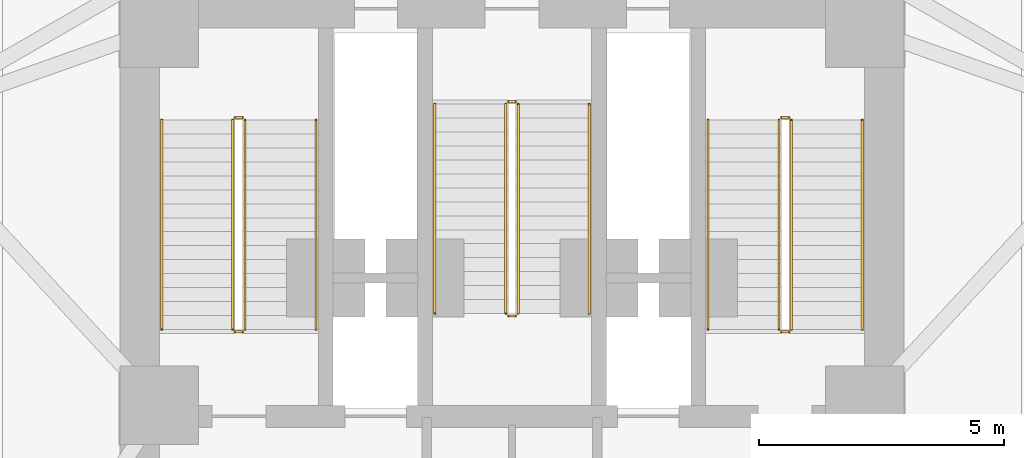
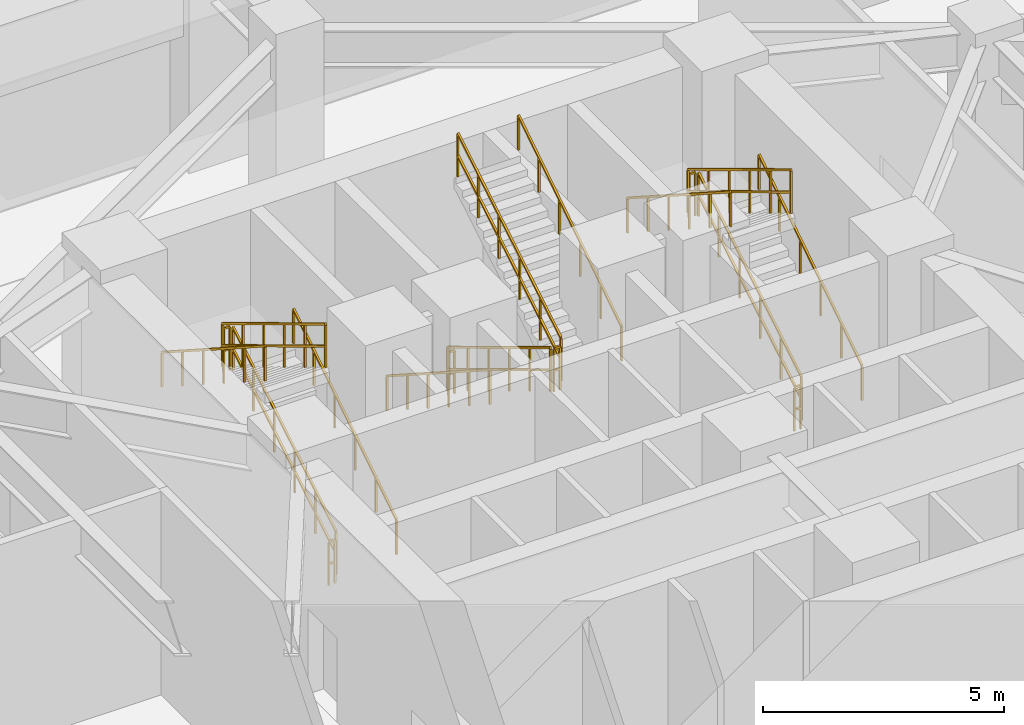
# One storey, part 14 of 15: 18 railings.
"""IFC4 building model written with IfcOpenShell, lengths in metres."""

from ifc_helpers import new_model, si_unit, direction, frame, origin, origin_2d, place, context, subcontext, project, spatial, rectangle, extrude, material, type_object, element, save


model = new_model("IFC4")

# Units and contexts
model_context = context("Model", 3, precision=1e-05, world=origin(), true_north=direction((0.0, 1.0)))
body_context = subcontext(model_context, "Body", "Model", "MODEL_VIEW")
ifc_project = project(units=[si_unit("LENGTHUNIT", "METRE"), si_unit("AREAUNIT", "SQUARE_METRE"), si_unit("VOLUMEUNIT", "CUBIC_METRE"), si_unit("PLANEANGLEUNIT", "RADIAN"), si_unit("MASSUNIT", "GRAM", prefix="KILO")], contexts=[model_context])

# Site, building, storey
site_placement = place(None, origin())
site = spatial("IfcSite", under=ifc_project, at=site_placement, CompositionType="ELEMENT")
building_placement = place(site_placement, origin())
building = spatial("IfcBuilding", under=site, at=building_placement, Name="Apsidion Concourse Tower", CompositionType="ELEMENT")
storey_placement = place(building_placement, frame((0.0, 0.0, 23.5)))
storey = spatial("IfcBuildingStorey", under=building, at=storey_placement, Name="L04", CompositionType="ELEMENT", Elevation=23.5)

# Railings
ifc_material = material(Name="Brushed stainless steel 316", Category="steel")
railing_type_1 = type_object("IfcRailingType", Name="RL-GUARD-1100", PredefinedType="GUARDRAIL", material=ifc_material)
railing_1_placement = place(storey_placement, frame((-5.449951171875, 3.0, 0.171875)))
element("IfcRailing", 1, at=railing_1_placement, inside=storey, type_object=railing_type_1, Name="L04 ST1 stair guard 1", PredefinedType="GUARDRAIL", context=body_context, shape_type="SweptSolid", body=[
    extrude(rectangle(XDim=0.048095703125, YDim=0.048095703125, at=origin_2d()), frame((0.0, 0.0, 1.09619140625), z_axis=(0.0, 0.856325638601, 0.51643625035), x_axis=(-1.0, 0.0, 0.0)), (0.0, 0.0, 1.0), 4.9921875),
    extrude(rectangle(XDim=0.048095703125, YDim=0.048095703125, at=origin_2d()), frame((0.0, 0.0, 0.5361328125), z_axis=(0.0, 0.856325638601, 0.51643625035), x_axis=(-1.0, 0.0, 0.0)), (0.0, 0.0, 1.0), 4.9921875),
    extrude(rectangle(XDim=0.0419921875, YDim=0.0419921875, at=origin_2d()), origin(), (0.0, 0.0, 1.0), 1.072021484375),
    extrude(rectangle(XDim=0.0419921875, YDim=0.0419921875, at=origin_2d()), frame((0.0, 0.85498046875, 0.515625)), (0.0, 0.0, 1.0), 1.072021484375),
    extrude(rectangle(XDim=0.0419921875, YDim=0.0419921875, at=origin_2d()), frame((0.0, 1.7099609375, 1.03125)), (0.0, 0.0, 1.0), 1.072021484375),
    extrude(rectangle(XDim=0.0419921875, YDim=0.0419921875, at=origin_2d()), frame((0.0, 2.56494140625, 1.546875)), (0.0, 0.0, 1.0), 1.072021484375),
    extrude(rectangle(XDim=0.0419921875, YDim=0.0419921875, at=origin_2d()), frame((0.0, 3.419921875, 2.0625)), (0.0, 0.0, 1.0), 1.072021484375),
    extrude(rectangle(XDim=0.0419921875, YDim=0.0419921875, at=origin_2d()), frame((0.0, 4.27490234375, 2.578125)), (0.0, 0.0, 1.0), 1.072021484375),
])
railing_2_placement = place(storey_placement, frame((-5.5, 7.324951171875, 2.75)))
element("IfcRailing", 2, at=railing_2_placement, inside=storey, type_object=railing_type_1, Name="L04 ST1 stair guard 2", PredefinedType="GUARDRAIL", context=body_context, shape_type="SweptSolid", body=[
    extrude(rectangle(XDim=0.048095703125, YDim=0.048095703125, at=origin_2d()), frame((0.0, 0.0, 1.09619140625), z_axis=(-1.0, 0.0, 0.0), x_axis=(0.0, -1.0, 0.0)), (0.0, 0.0, 1.0), 0.14990234375),
    extrude(rectangle(XDim=0.048095703125, YDim=0.048095703125, at=origin_2d()), frame((0.0, 0.0, 0.5361328125), z_axis=(-1.0, 0.0, 0.0), x_axis=(0.0, -1.0, 0.0)), (0.0, 0.0, 1.0), 0.14990234375),
    extrude(rectangle(XDim=0.0419921875, YDim=0.0419921875, at=origin_2d()), origin(), (0.0, 0.0, 1.0), 1.072021484375),
    extrude(rectangle(XDim=0.0419921875, YDim=0.0419921875, at=origin_2d()), frame((-0.14990234375, 0.0, 0.0)), (0.0, 0.0, 1.0), 1.072021484375),
])
railing_3_placement = place(storey_placement, frame((-5.699951171875, 7.27490234375, 2.921875)))
element("IfcRailing", 3, at=railing_3_placement, inside=storey, type_object=railing_type_1, Name="L04 ST1 stair guard 3", PredefinedType="GUARDRAIL", context=body_context, shape_type="SweptSolid", body=[
    extrude(rectangle(XDim=0.048095703125, YDim=0.048095703125, at=origin_2d()), frame((0.0, 0.0, 1.09619140625), z_axis=(0.0, -0.856325638601, 0.51643625035), x_axis=(1.0, 0.0, 0.0)), (0.0, 0.0, 1.0), 4.9921875),
    extrude(rectangle(XDim=0.048095703125, YDim=0.048095703125, at=origin_2d()), frame((0.0, 0.0, 0.5361328125), z_axis=(0.0, -0.856325638601, 0.51643625035), x_axis=(1.0, 0.0, 0.0)), (0.0, 0.0, 1.0), 4.9921875),
    extrude(rectangle(XDim=0.0419921875, YDim=0.0419921875, at=origin_2d()), origin(), (0.0, 0.0, 1.0), 1.072021484375),
    extrude(rectangle(XDim=0.0419921875, YDim=0.0419921875, at=origin_2d()), frame((0.0, -0.85498046875, 0.515625)), (0.0, 0.0, 1.0), 1.072021484375),
    extrude(rectangle(XDim=0.0419921875, YDim=0.0419921875, at=origin_2d()), frame((0.0, -1.7099609375, 1.03125)), (0.0, 0.0, 1.0), 1.072021484375),
    extrude(rectangle(XDim=0.0419921875, YDim=0.0419921875, at=origin_2d()), frame((0.0, -2.56494140625, 1.546875)), (0.0, 0.0, 1.0), 1.072021484375),
    extrude(rectangle(XDim=0.0419921875, YDim=0.0419921875, at=origin_2d()), frame((0.0, -3.419921875, 2.0625)), (0.0, 0.0, 1.0), 1.072021484375),
    extrude(rectangle(XDim=0.0419921875, YDim=0.0419921875, at=origin_2d()), frame((0.0, -4.27490234375, 2.578125)), (0.0, 0.0, 1.0), 1.072021484375),
])
railing_4_placement = place(storey_placement, frame((-5.5, 2.949951171875, 0.0)))
element("IfcRailing", 4, at=railing_4_placement, inside=storey, type_object=railing_type_1, Name="L04 ST1 stair guard 4", PredefinedType="GUARDRAIL", context=body_context, shape_type="SweptSolid", body=[
    extrude(rectangle(XDim=0.048095703125, YDim=0.048095703125, at=origin_2d()), frame((0.0, 0.0, 1.09619140625), z_axis=(-1.0, 0.0, 0.0), x_axis=(0.0, -1.0, 0.0)), (0.0, 0.0, 1.0), 0.14990234375),
    extrude(rectangle(XDim=0.048095703125, YDim=0.048095703125, at=origin_2d()), frame((0.0, 0.0, 0.5361328125), z_axis=(-1.0, 0.0, 0.0), x_axis=(0.0, -1.0, 0.0)), (0.0, 0.0, 1.0), 0.14990234375),
    extrude(rectangle(XDim=0.0419921875, YDim=0.0419921875, at=origin_2d()), origin(), (0.0, 0.0, 1.0), 1.072021484375),
    extrude(rectangle(XDim=0.0419921875, YDim=0.0419921875, at=origin_2d()), frame((-0.14990234375, 0.0, 0.0)), (0.0, 0.0, 1.0), 1.072021484375),
])
railing_5_placement = place(storey_placement, frame((5.699951171875, 3.0, 0.171875)))
element("IfcRailing", 5, at=railing_5_placement, inside=storey, type_object=railing_type_1, Name="L04 ST2 stair guard 1", PredefinedType="GUARDRAIL", context=body_context, shape_type="SweptSolid", body=[
    extrude(rectangle(XDim=0.048095703125, YDim=0.048095703125, at=origin_2d()), frame((0.0, 0.0, 1.09619140625), z_axis=(0.0, 0.856325638601, 0.51643625035), x_axis=(-1.0, 0.0, 0.0)), (0.0, 0.0, 1.0), 4.9921875),
    extrude(rectangle(XDim=0.048095703125, YDim=0.048095703125, at=origin_2d()), frame((0.0, 0.0, 0.5361328125), z_axis=(0.0, 0.856325638601, 0.51643625035), x_axis=(-1.0, 0.0, 0.0)), (0.0, 0.0, 1.0), 4.9921875),
    extrude(rectangle(XDim=0.0419921875, YDim=0.0419921875, at=origin_2d()), origin(), (0.0, 0.0, 1.0), 1.072021484375),
    extrude(rectangle(XDim=0.0419921875, YDim=0.0419921875, at=origin_2d()), frame((0.0, 0.85498046875, 0.515625)), (0.0, 0.0, 1.0), 1.072021484375),
    extrude(rectangle(XDim=0.0419921875, YDim=0.0419921875, at=origin_2d()), frame((0.0, 1.7099609375, 1.03125)), (0.0, 0.0, 1.0), 1.072021484375),
    extrude(rectangle(XDim=0.0419921875, YDim=0.0419921875, at=origin_2d()), frame((0.0, 2.56494140625, 1.546875)), (0.0, 0.0, 1.0), 1.072021484375),
    extrude(rectangle(XDim=0.0419921875, YDim=0.0419921875, at=origin_2d()), frame((0.0, 3.419921875, 2.0625)), (0.0, 0.0, 1.0), 1.072021484375),
    extrude(rectangle(XDim=0.0419921875, YDim=0.0419921875, at=origin_2d()), frame((0.0, 4.27490234375, 2.578125)), (0.0, 0.0, 1.0), 1.072021484375),
])
railing_6_placement = place(storey_placement, frame((5.64990234375, 7.324951171875, 2.75)))
element("IfcRailing", 6, at=railing_6_placement, inside=storey, type_object=railing_type_1, Name="L04 ST2 stair guard 2", PredefinedType="GUARDRAIL", context=body_context, shape_type="SweptSolid", body=[
    extrude(rectangle(XDim=0.048095703125, YDim=0.048095703125, at=origin_2d()), frame((0.0, 0.0, 1.09619140625), z_axis=(-1.0, 0.0, 0.0), x_axis=(0.0, -1.0, 0.0)), (0.0, 0.0, 1.0), 0.14990234375),
    extrude(rectangle(XDim=0.048095703125, YDim=0.048095703125, at=origin_2d()), frame((0.0, 0.0, 0.5361328125), z_axis=(-1.0, 0.0, 0.0), x_axis=(0.0, -1.0, 0.0)), (0.0, 0.0, 1.0), 0.14990234375),
    extrude(rectangle(XDim=0.0419921875, YDim=0.0419921875, at=origin_2d()), origin(), (0.0, 0.0, 1.0), 1.072021484375),
    extrude(rectangle(XDim=0.0419921875, YDim=0.0419921875, at=origin_2d()), frame((-0.14990234375, 0.0, 0.0)), (0.0, 0.0, 1.0), 1.072021484375),
])
railing_7_placement = place(storey_placement, frame((5.449951171875, 7.27490234375, 2.921875)))
element("IfcRailing", 7, at=railing_7_placement, inside=storey, type_object=railing_type_1, Name="L04 ST2 stair guard 3", PredefinedType="GUARDRAIL", context=body_context, shape_type="SweptSolid", body=[
    extrude(rectangle(XDim=0.048095703125, YDim=0.048095703125, at=origin_2d()), frame((0.0, 0.0, 1.09619140625), z_axis=(0.0, -0.856325638601, 0.51643625035), x_axis=(1.0, 0.0, 0.0)), (0.0, 0.0, 1.0), 4.9921875),
    extrude(rectangle(XDim=0.048095703125, YDim=0.048095703125, at=origin_2d()), frame((0.0, 0.0, 0.5361328125), z_axis=(0.0, -0.856325638601, 0.51643625035), x_axis=(1.0, 0.0, 0.0)), (0.0, 0.0, 1.0), 4.9921875),
    extrude(rectangle(XDim=0.0419921875, YDim=0.0419921875, at=origin_2d()), origin(), (0.0, 0.0, 1.0), 1.072021484375),
    extrude(rectangle(XDim=0.0419921875, YDim=0.0419921875, at=origin_2d()), frame((0.0, -0.85498046875, 0.515625)), (0.0, 0.0, 1.0), 1.072021484375),
    extrude(rectangle(XDim=0.0419921875, YDim=0.0419921875, at=origin_2d()), frame((0.0, -1.7099609375, 1.03125)), (0.0, 0.0, 1.0), 1.072021484375),
    extrude(rectangle(XDim=0.0419921875, YDim=0.0419921875, at=origin_2d()), frame((0.0, -2.56494140625, 1.546875)), (0.0, 0.0, 1.0), 1.072021484375),
    extrude(rectangle(XDim=0.0419921875, YDim=0.0419921875, at=origin_2d()), frame((0.0, -3.419921875, 2.0625)), (0.0, 0.0, 1.0), 1.072021484375),
    extrude(rectangle(XDim=0.0419921875, YDim=0.0419921875, at=origin_2d()), frame((0.0, -4.27490234375, 2.578125)), (0.0, 0.0, 1.0), 1.072021484375),
])
railing_8_placement = place(storey_placement, frame((5.64990234375, 2.949951171875, 0.0)))
element("IfcRailing", 8, at=railing_8_placement, inside=storey, type_object=railing_type_1, Name="L04 ST2 stair guard 4", PredefinedType="GUARDRAIL", context=body_context, shape_type="SweptSolid", body=[
    extrude(rectangle(XDim=0.048095703125, YDim=0.048095703125, at=origin_2d()), frame((0.0, 0.0, 1.09619140625), z_axis=(-1.0, 0.0, 0.0), x_axis=(0.0, -1.0, 0.0)), (0.0, 0.0, 1.0), 0.14990234375),
    extrude(rectangle(XDim=0.048095703125, YDim=0.048095703125, at=origin_2d()), frame((0.0, 0.0, 0.5361328125), z_axis=(-1.0, 0.0, 0.0), x_axis=(0.0, -1.0, 0.0)), (0.0, 0.0, 1.0), 0.14990234375),
    extrude(rectangle(XDim=0.0419921875, YDim=0.0419921875, at=origin_2d()), origin(), (0.0, 0.0, 1.0), 1.072021484375),
    extrude(rectangle(XDim=0.0419921875, YDim=0.0419921875, at=origin_2d()), frame((-0.14990234375, 0.0, 0.0)), (0.0, 0.0, 1.0), 1.072021484375),
])
railing_9_placement = place(storey_placement, frame((-0.125, 7.60009765625, 0.171875)))
element("IfcRailing", 9, at=railing_9_placement, inside=storey, type_object=railing_type_1, Name="L04 ST3 stair guard 1", PredefinedType="GUARDRAIL", context=body_context, shape_type="SweptSolid", body=[
    extrude(rectangle(XDim=0.048095703125, YDim=0.048095703125, at=origin_2d()), frame((0.0, 0.0, 1.09619140625), z_axis=(0.0, -0.856338681044, 0.516414623484), x_axis=(1.0, 0.0, 0.0)), (0.0, 0.0, 1.0), 4.992431640625),
    extrude(rectangle(XDim=0.048095703125, YDim=0.048095703125, at=origin_2d()), frame((0.0, 0.0, 0.5361328125), z_axis=(0.0, -0.856338681044, 0.516414623484), x_axis=(1.0, 0.0, 0.0)), (0.0, 0.0, 1.0), 4.992431640625),
    extrude(rectangle(XDim=0.0419921875, YDim=0.0419921875, at=origin_2d()), origin(), (0.0, 0.0, 1.0), 1.072021484375),
    extrude(rectangle(XDim=0.0419921875, YDim=0.0419921875, at=origin_2d()), frame((0.0, -0.85498046875, 0.515625)), (0.0, 0.0, 1.0), 1.072021484375),
    extrude(rectangle(XDim=0.0419921875, YDim=0.0419921875, at=origin_2d()), frame((0.0, -1.7099609375, 1.03125)), (0.0, 0.0, 1.0), 1.072021484375),
    extrude(rectangle(XDim=0.0419921875, YDim=0.0419921875, at=origin_2d()), frame((0.0, -2.565185546875, 1.546875)), (0.0, 0.0, 1.0), 1.072021484375),
    extrude(rectangle(XDim=0.0419921875, YDim=0.0419921875, at=origin_2d()), frame((0.0, -3.420166015625, 2.0625)), (0.0, 0.0, 1.0), 1.072021484375),
    extrude(rectangle(XDim=0.0419921875, YDim=0.0419921875, at=origin_2d()), frame((0.0, -4.275146484375, 2.578125)), (0.0, 0.0, 1.0), 1.072021484375),
])
railing_10_placement = place(storey_placement, frame((-0.074951171875, 3.27490234375, 2.75)))
element("IfcRailing", 10, at=railing_10_placement, inside=storey, type_object=railing_type_1, Name="L04 ST3 stair guard 2", PredefinedType="GUARDRAIL", context=body_context, shape_type="SweptSolid", body=[
    extrude(rectangle(XDim=0.048095703125, YDim=0.048095703125, at=origin_2d()), frame((0.0, 0.0, 1.09619140625), z_axis=(1.0, 0.0, 0.0), x_axis=(0.0, 1.0, 0.0)), (0.0, 0.0, 1.0), 0.14990234375),
    extrude(rectangle(XDim=0.048095703125, YDim=0.048095703125, at=origin_2d()), frame((0.0, 0.0, 0.5361328125), z_axis=(1.0, 0.0, 0.0), x_axis=(0.0, 1.0, 0.0)), (0.0, 0.0, 1.0), 0.14990234375),
    extrude(rectangle(XDim=0.0419921875, YDim=0.0419921875, at=origin_2d()), origin(), (0.0, 0.0, 1.0), 1.072021484375),
    extrude(rectangle(XDim=0.0419921875, YDim=0.0419921875, at=origin_2d()), frame((0.14990234375, 0.0, 0.0)), (0.0, 0.0, 1.0), 1.072021484375),
])
railing_11_placement = place(storey_placement, frame((0.125, 3.324951171875, 2.921875)))
element("IfcRailing", 11, at=railing_11_placement, inside=storey, type_object=railing_type_1, Name="L04 ST3 stair guard 3", PredefinedType="GUARDRAIL", context=body_context, shape_type="SweptSolid", body=[
    extrude(rectangle(XDim=0.048095703125, YDim=0.048095703125, at=origin_2d()), frame((0.0, 0.0, 1.09619140625), z_axis=(0.0, 0.856338681044, 0.516414623484), x_axis=(-1.0, 0.0, 0.0)), (0.0, 0.0, 1.0), 4.992431640625),
    extrude(rectangle(XDim=0.048095703125, YDim=0.048095703125, at=origin_2d()), frame((0.0, 0.0, 0.5361328125), z_axis=(0.0, 0.856338681044, 0.516414623484), x_axis=(-1.0, 0.0, 0.0)), (0.0, 0.0, 1.0), 4.992431640625),
    extrude(rectangle(XDim=0.0419921875, YDim=0.0419921875, at=origin_2d()), origin(), (0.0, 0.0, 1.0), 1.072021484375),
    extrude(rectangle(XDim=0.0419921875, YDim=0.0419921875, at=origin_2d()), frame((0.0, 0.85498046875, 0.515625)), (0.0, 0.0, 1.0), 1.072021484375),
    extrude(rectangle(XDim=0.0419921875, YDim=0.0419921875, at=origin_2d()), frame((0.0, 1.7099609375, 1.03125)), (0.0, 0.0, 1.0), 1.072021484375),
    extrude(rectangle(XDim=0.0419921875, YDim=0.0419921875, at=origin_2d()), frame((0.0, 2.565185546875, 1.546875)), (0.0, 0.0, 1.0), 1.072021484375),
    extrude(rectangle(XDim=0.0419921875, YDim=0.0419921875, at=origin_2d()), frame((0.0, 3.420166015625, 2.0625)), (0.0, 0.0, 1.0), 1.072021484375),
    extrude(rectangle(XDim=0.0419921875, YDim=0.0419921875, at=origin_2d()), frame((0.0, 4.275146484375, 2.578125)), (0.0, 0.0, 1.0), 1.072021484375),
])
railing_12_placement = place(storey_placement, frame((-0.074951171875, 7.64990234375, 0.0)))
element("IfcRailing", 12, at=railing_12_placement, inside=storey, type_object=railing_type_1, Name="L04 ST3 stair guard 4", PredefinedType="GUARDRAIL", context=body_context, shape_type="SweptSolid", body=[
    extrude(rectangle(XDim=0.048095703125, YDim=0.048095703125, at=origin_2d()), frame((0.0, 0.0, 1.09619140625), z_axis=(1.0, 0.0, 0.0), x_axis=(0.0, 1.0, 0.0)), (0.0, 0.0, 1.0), 0.14990234375),
    extrude(rectangle(XDim=0.048095703125, YDim=0.048095703125, at=origin_2d()), frame((0.0, 0.0, 0.5361328125), z_axis=(1.0, 0.0, 0.0), x_axis=(0.0, 1.0, 0.0)), (0.0, 0.0, 1.0), 0.14990234375),
    extrude(rectangle(XDim=0.0419921875, YDim=0.0419921875, at=origin_2d()), origin(), (0.0, 0.0, 1.0), 1.072021484375),
    extrude(rectangle(XDim=0.0419921875, YDim=0.0419921875, at=origin_2d()), frame((0.14990234375, 0.0, 0.0)), (0.0, 0.0, 1.0), 1.072021484375),
])
railing_type_2 = type_object("IfcRailingType", Name="RL-HAND-900", PredefinedType="HANDRAIL", material=ifc_material)
railing_13_placement = place(storey_placement, frame((-4.0, 3.0, 0.171875)))
element("IfcRailing", 13, at=railing_13_placement, inside=storey, type_object=railing_type_2, Name="L04 ST1 stair handrail 1", PredefinedType="HANDRAIL", context=body_context, shape_type="SweptSolid", body=[
    extrude(rectangle(XDim=0.048095703125, YDim=0.048095703125, at=origin_2d()), frame((0.0, 0.0, 0.8759765625), z_axis=(0.0, 0.841013017101, 0.54101488433), x_axis=(-1.0, 0.0, 0.0)), (0.0, 0.0, 1.0), 5.0830078125),
    extrude(rectangle(XDim=0.0419921875, YDim=0.0419921875, at=origin_2d()), origin(), (0.0, 0.0, 1.0), 0.851806640625),
    extrude(rectangle(XDim=0.0419921875, YDim=0.0419921875, at=origin_2d()), frame((0.0, 0.85498046875, 0.550048828125)), (0.0, 0.0, 1.0), 0.851806640625),
    extrude(rectangle(XDim=0.0419921875, YDim=0.0419921875, at=origin_2d()), frame((0.0, 1.7099609375, 1.10009765625)), (0.0, 0.0, 1.0), 0.851806640625),
    extrude(rectangle(XDim=0.0419921875, YDim=0.0419921875, at=origin_2d()), frame((0.0, 2.56494140625, 1.64990234375)), (0.0, 0.0, 1.0), 0.851806640625),
    extrude(rectangle(XDim=0.0419921875, YDim=0.0419921875, at=origin_2d()), frame((0.0, 3.419921875, 2.199951171875)), (0.0, 0.0, 1.0), 0.851806640625),
    extrude(rectangle(XDim=0.0419921875, YDim=0.0419921875, at=origin_2d()), frame((0.0, 4.27490234375, 2.75)), (0.0, 0.0, 1.0), 0.851806640625),
])
railing_14_placement = place(storey_placement, frame((-7.14990234375, 7.27490234375, 2.921875)))
element("IfcRailing", 14, at=railing_14_placement, inside=storey, type_object=railing_type_2, Name="L04 ST1 stair handrail 2", PredefinedType="HANDRAIL", context=body_context, shape_type="SweptSolid", body=[
    extrude(rectangle(XDim=0.048095703125, YDim=0.048095703125, at=origin_2d()), frame((0.0, 0.0, 0.8759765625), z_axis=(0.0, -0.841013017101, 0.54101488433), x_axis=(1.0, 0.0, 0.0)), (0.0, 0.0, 1.0), 5.0830078125),
    extrude(rectangle(XDim=0.0419921875, YDim=0.0419921875, at=origin_2d()), origin(), (0.0, 0.0, 1.0), 0.851806640625),
    extrude(rectangle(XDim=0.0419921875, YDim=0.0419921875, at=origin_2d()), frame((0.0, -0.85498046875, 0.550048828125)), (0.0, 0.0, 1.0), 0.851806640625),
    extrude(rectangle(XDim=0.0419921875, YDim=0.0419921875, at=origin_2d()), frame((0.0, -1.7099609375, 1.10009765625)), (0.0, 0.0, 1.0), 0.851806640625),
    extrude(rectangle(XDim=0.0419921875, YDim=0.0419921875, at=origin_2d()), frame((0.0, -2.56494140625, 1.64990234375)), (0.0, 0.0, 1.0), 0.851806640625),
    extrude(rectangle(XDim=0.0419921875, YDim=0.0419921875, at=origin_2d()), frame((0.0, -3.419921875, 2.199951171875)), (0.0, 0.0, 1.0), 0.851806640625),
    extrude(rectangle(XDim=0.0419921875, YDim=0.0419921875, at=origin_2d()), frame((0.0, -4.27490234375, 2.75)), (0.0, 0.0, 1.0), 0.851806640625),
])
railing_15_placement = place(storey_placement, frame((7.14990234375, 3.0, 0.171875)))
element("IfcRailing", 15, at=railing_15_placement, inside=storey, type_object=railing_type_2, Name="L04 ST2 stair handrail 1", PredefinedType="HANDRAIL", context=body_context, shape_type="SweptSolid", body=[
    extrude(rectangle(XDim=0.048095703125, YDim=0.048095703125, at=origin_2d()), frame((0.0, 0.0, 0.8759765625), z_axis=(0.0, 0.841013017101, 0.54101488433), x_axis=(-1.0, 0.0, 0.0)), (0.0, 0.0, 1.0), 5.0830078125),
    extrude(rectangle(XDim=0.0419921875, YDim=0.0419921875, at=origin_2d()), origin(), (0.0, 0.0, 1.0), 0.851806640625),
    extrude(rectangle(XDim=0.0419921875, YDim=0.0419921875, at=origin_2d()), frame((0.0, 0.85498046875, 0.550048828125)), (0.0, 0.0, 1.0), 0.851806640625),
    extrude(rectangle(XDim=0.0419921875, YDim=0.0419921875, at=origin_2d()), frame((0.0, 1.7099609375, 1.10009765625)), (0.0, 0.0, 1.0), 0.851806640625),
    extrude(rectangle(XDim=0.0419921875, YDim=0.0419921875, at=origin_2d()), frame((0.0, 2.56494140625, 1.64990234375)), (0.0, 0.0, 1.0), 0.851806640625),
    extrude(rectangle(XDim=0.0419921875, YDim=0.0419921875, at=origin_2d()), frame((0.0, 3.419921875, 2.199951171875)), (0.0, 0.0, 1.0), 0.851806640625),
    extrude(rectangle(XDim=0.0419921875, YDim=0.0419921875, at=origin_2d()), frame((0.0, 4.27490234375, 2.75)), (0.0, 0.0, 1.0), 0.851806640625),
])
railing_16_placement = place(storey_placement, frame((4.0, 7.27490234375, 2.921875)))
element("IfcRailing", 16, at=railing_16_placement, inside=storey, type_object=railing_type_2, Name="L04 ST2 stair handrail 2", PredefinedType="HANDRAIL", context=body_context, shape_type="SweptSolid", body=[
    extrude(rectangle(XDim=0.048095703125, YDim=0.048095703125, at=origin_2d()), frame((0.0, 0.0, 0.8759765625), z_axis=(0.0, -0.841013017101, 0.54101488433), x_axis=(1.0, 0.0, 0.0)), (0.0, 0.0, 1.0), 5.0830078125),
    extrude(rectangle(XDim=0.0419921875, YDim=0.0419921875, at=origin_2d()), origin(), (0.0, 0.0, 1.0), 0.851806640625),
    extrude(rectangle(XDim=0.0419921875, YDim=0.0419921875, at=origin_2d()), frame((0.0, -0.85498046875, 0.550048828125)), (0.0, 0.0, 1.0), 0.851806640625),
    extrude(rectangle(XDim=0.0419921875, YDim=0.0419921875, at=origin_2d()), frame((0.0, -1.7099609375, 1.10009765625)), (0.0, 0.0, 1.0), 0.851806640625),
    extrude(rectangle(XDim=0.0419921875, YDim=0.0419921875, at=origin_2d()), frame((0.0, -2.56494140625, 1.64990234375)), (0.0, 0.0, 1.0), 0.851806640625),
    extrude(rectangle(XDim=0.0419921875, YDim=0.0419921875, at=origin_2d()), frame((0.0, -3.419921875, 2.199951171875)), (0.0, 0.0, 1.0), 0.851806640625),
    extrude(rectangle(XDim=0.0419921875, YDim=0.0419921875, at=origin_2d()), frame((0.0, -4.27490234375, 2.75)), (0.0, 0.0, 1.0), 0.851806640625),
])
railing_17_placement = place(storey_placement, frame((-1.574951171875, 7.60009765625, 0.171875)))
element("IfcRailing", 17, at=railing_17_placement, inside=storey, type_object=railing_type_2, Name="L04 ST3 stair handrail 1", PredefinedType="HANDRAIL", context=body_context, shape_type="SweptSolid", body=[
    extrude(rectangle(XDim=0.048095703125, YDim=0.048095703125, at=origin_2d()), frame((0.0, 0.0, 0.8759765625), z_axis=(0.0, -0.84102707462, 0.540993031153), x_axis=(1.0, 0.0, 0.0)), (0.0, 0.0, 1.0), 5.083251953125),
    extrude(rectangle(XDim=0.0419921875, YDim=0.0419921875, at=origin_2d()), origin(), (0.0, 0.0, 1.0), 0.851806640625),
    extrude(rectangle(XDim=0.0419921875, YDim=0.0419921875, at=origin_2d()), frame((0.0, -0.85498046875, 0.550048828125)), (0.0, 0.0, 1.0), 0.851806640625),
    extrude(rectangle(XDim=0.0419921875, YDim=0.0419921875, at=origin_2d()), frame((0.0, -1.7099609375, 1.10009765625)), (0.0, 0.0, 1.0), 0.851806640625),
    extrude(rectangle(XDim=0.0419921875, YDim=0.0419921875, at=origin_2d()), frame((0.0, -2.565185546875, 1.64990234375)), (0.0, 0.0, 1.0), 0.851806640625),
    extrude(rectangle(XDim=0.0419921875, YDim=0.0419921875, at=origin_2d()), frame((0.0, -3.420166015625, 2.199951171875)), (0.0, 0.0, 1.0), 0.851806640625),
    extrude(rectangle(XDim=0.0419921875, YDim=0.0419921875, at=origin_2d()), frame((0.0, -4.275146484375, 2.75)), (0.0, 0.0, 1.0), 0.851806640625),
])
railing_18_placement = place(storey_placement, frame((1.574951171875, 3.324951171875, 2.921875)))
element("IfcRailing", 18, at=railing_18_placement, inside=storey, type_object=railing_type_2, Name="L04 ST3 stair handrail 2", PredefinedType="HANDRAIL", context=body_context, shape_type="SweptSolid", body=[
    extrude(rectangle(XDim=0.048095703125, YDim=0.048095703125, at=origin_2d()), frame((0.0, 0.0, 0.8759765625), z_axis=(0.0, 0.84102707462, 0.540993031153), x_axis=(-1.0, 0.0, 0.0)), (0.0, 0.0, 1.0), 5.083251953125),
    extrude(rectangle(XDim=0.0419921875, YDim=0.0419921875, at=origin_2d()), origin(), (0.0, 0.0, 1.0), 0.851806640625),
    extrude(rectangle(XDim=0.0419921875, YDim=0.0419921875, at=origin_2d()), frame((0.0, 0.85498046875, 0.550048828125)), (0.0, 0.0, 1.0), 0.851806640625),
    extrude(rectangle(XDim=0.0419921875, YDim=0.0419921875, at=origin_2d()), frame((0.0, 1.7099609375, 1.10009765625)), (0.0, 0.0, 1.0), 0.851806640625),
    extrude(rectangle(XDim=0.0419921875, YDim=0.0419921875, at=origin_2d()), frame((0.0, 2.565185546875, 1.64990234375)), (0.0, 0.0, 1.0), 0.851806640625),
    extrude(rectangle(XDim=0.0419921875, YDim=0.0419921875, at=origin_2d()), frame((0.0, 3.420166015625, 2.199951171875)), (0.0, 0.0, 1.0), 0.851806640625),
    extrude(rectangle(XDim=0.0419921875, YDim=0.0419921875, at=origin_2d()), frame((0.0, 4.275146484375, 2.75)), (0.0, 0.0, 1.0), 0.851806640625),
])

save(model, "model.ifc")
